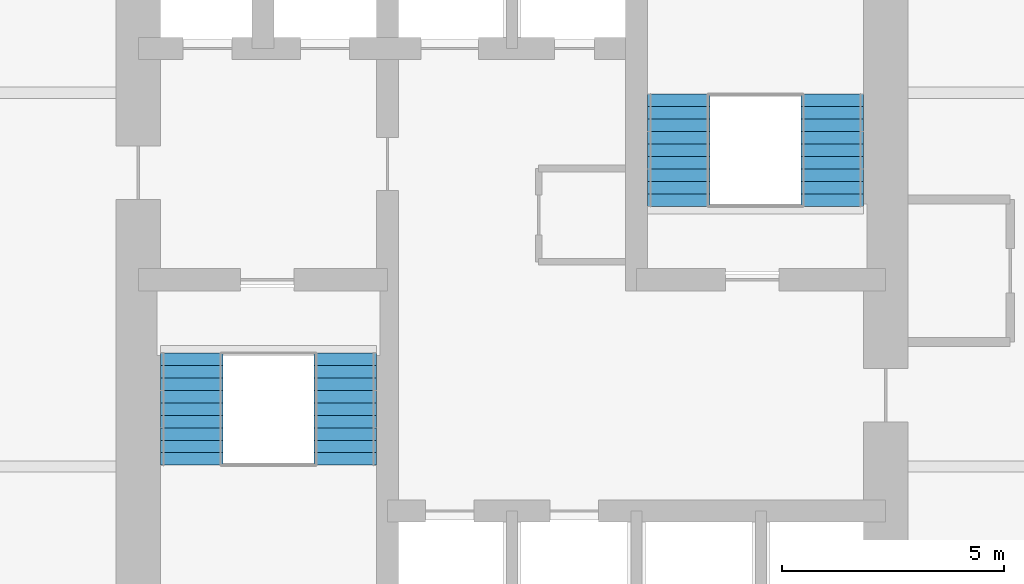
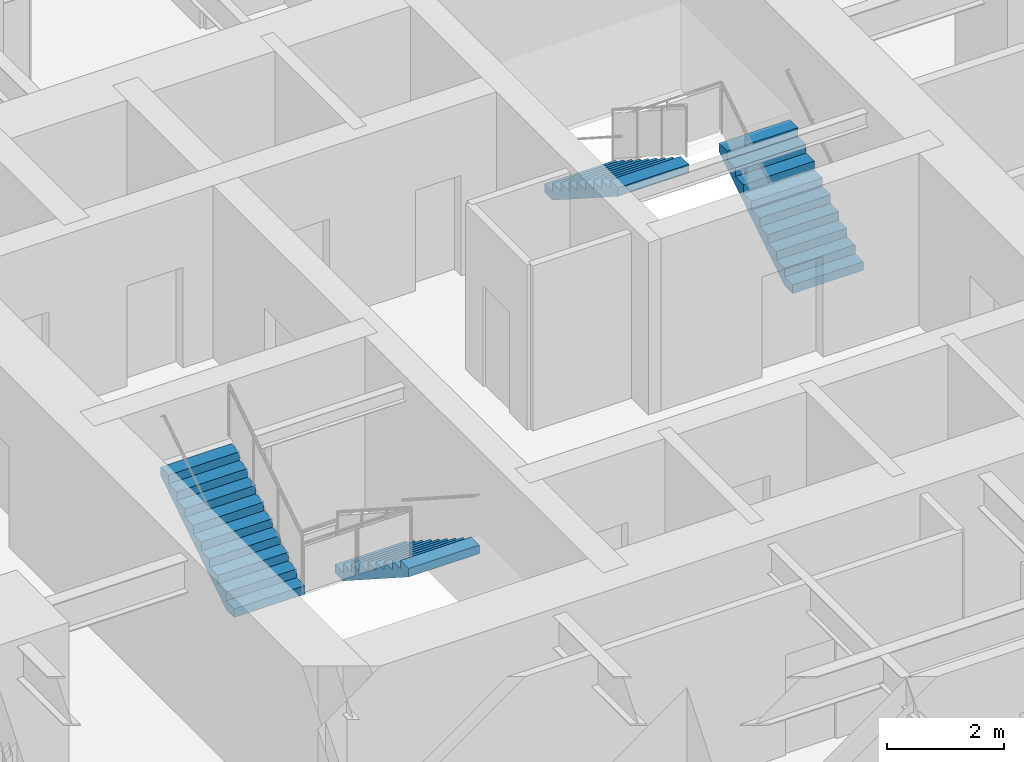
# One storey, part 15 of 17: 4 stair flights, 2 elements without a shape of their own.
"""IFC4 building model written with IfcOpenShell, lengths in metres."""

from ifc_helpers import new_model, si_unit, direction, frame, origin, place, context, subcontext, project, spatial, polyline, outline, extrude, material, type_object, element, aggregate, save


model = new_model("IFC4")

# Units and contexts
model_context = context("Model", 3, precision=1e-05, world=origin(), true_north=direction((0.0, 1.0)))
body_context = subcontext(model_context, "Body", "Model", "MODEL_VIEW")
ifc_project = project(units=[si_unit("LENGTHUNIT", "METRE"), si_unit("AREAUNIT", "SQUARE_METRE"), si_unit("VOLUMEUNIT", "CUBIC_METRE"), si_unit("PLANEANGLEUNIT", "RADIAN"), si_unit("MASSUNIT", "GRAM", prefix="KILO")], contexts=[model_context])

# Site, building, storey
site_placement = place(None, origin())
site = spatial("IfcSite", under=ifc_project, at=site_placement, CompositionType="ELEMENT")
building_placement = place(site_placement, origin())
building = spatial("IfcBuilding", under=site, at=building_placement, Name="Torre Alcanfor", CompositionType="ELEMENT")
storey_placement = place(building_placement, frame((0.0, 0.0, 34.5)))
storey = spatial("IfcBuildingStorey", under=building, at=storey_placement, Name="L07", CompositionType="ELEMENT", Elevation=34.5)

# Stair, stair flights
ifc_material_1 = material(Name="Concrete f'c 35 MPa", Category="concrete")
stair_type_1 = type_object("IfcStairType", Name="Exit stair S1 1400 wide", PredefinedType="HALF_TURN_STAIR", material=ifc_material_1)
stair_1_placement = place(storey_placement, origin())
stair_1 = element("IfcStair", 1, at=stair_1_placement, inside=storey, type_object=stair_type_1, Name="Stair S1 L07 to L08", PredefinedType="HALF_TURN_STAIR")
ifc_material_2 = material(Name="Concrete f'c 35 MPa", Category="concrete")
stair_flight_type = type_object("IfcStairFlightType", Name="Stair flight 1400", PredefinedType="STRAIGHT", material=ifc_material_2)
stair_flight_1_placement = place(storey_placement, frame((25.64990234375, 27.75, 0.0), z_axis=(0.0, 0.0, 1.0), x_axis=(0.0, -1.0, 0.0)))
stair_flight_1 = element("IfcStairFlight", 2, at=stair_flight_1_placement, type_object=stair_flight_type, Name="S1 flight 1", NumberOfRisers=10, NumberOfTreads=9, PredefinedType="STRAIGHT", RiserHeight=0.18, TreadLength=0.28, context=body_context, shape_type="SweptSolid", body=[
    extrude(outline(polyline([(0.0, 0.0), (0.0, 0.179931640625), (0.280029296875, 0.179931640625), (0.280029296875, 0.360107421875), (0.56005859375, 0.360107421875), (0.56005859375, 0.5400390625), (0.840087890625, 0.5400390625), (0.840087890625, 0.719970703125), (1.1201171875, 0.719970703125), (1.1201171875, 0.89990234375), (1.39990234375, 0.89990234375), (1.39990234375, 1.080078125), (1.679931640625, 1.080078125), (1.679931640625, 1.260009765625), (1.9599609375, 1.260009765625), (1.9599609375, 1.43994140625), (2.239990234375, 1.43994140625), (2.239990234375, 1.6201171875), (2.52001953125, 1.6201171875), (2.52001953125, 1.800048828125), (2.52001953125, 1.44189453125), (0.277099609375, 0.0), (0.0, 0.0)])), frame((0.0, 0.699951171875, 0.0), z_axis=(0.0, -1.0, 0.0), x_axis=(1.0, 0.0, 0.0)), (0.0, 0.0, 1.0), 1.39990234375),
])
stair_flight_2_placement = place(storey_placement, frame((22.199951171875, 25.22998046875, 1.800048828125), z_axis=(0.0, 0.0, 1.0), x_axis=(0.0, 1.0, 0.0)))
stair_flight_2 = element("IfcStairFlight", 3, at=stair_flight_2_placement, type_object=stair_flight_type, Name="S1 flight 2", NumberOfRisers=10, NumberOfTreads=9, PredefinedType="STRAIGHT", RiserHeight=0.18, TreadLength=0.28, context=body_context, shape_type="SweptSolid", body=[
    extrude(outline(polyline([(0.0, 0.0), (0.0, 0.179931640625), (0.280029296875, 0.179931640625), (0.280029296875, 0.360107421875), (0.56005859375, 0.360107421875), (0.56005859375, 0.5400390625), (0.840087890625, 0.5400390625), (0.840087890625, 0.719970703125), (1.1201171875, 0.719970703125), (1.1201171875, 0.89990234375), (1.39990234375, 0.89990234375), (1.39990234375, 1.080078125), (1.679931640625, 1.080078125), (1.679931640625, 1.260009765625), (1.9599609375, 1.260009765625), (1.9599609375, 1.43994140625), (2.239990234375, 1.43994140625), (2.239990234375, 1.6201171875), (2.52001953125, 1.6201171875), (2.52001953125, 1.800048828125), (2.52001953125, 1.44189453125), (0.277099609375, 0.0), (0.0, 0.0)])), frame((0.0, 0.699951171875, 0.0), z_axis=(0.0, -1.0, 0.0), x_axis=(1.0, 0.0, 0.0)), (0.0, 0.0, 1.0), 1.39990234375),
])
aggregate(stair_1, [stair_flight_1, stair_flight_2])

ifc_material_3 = material(Name="Concrete f'c 35 MPa", Category="concrete")
stair_type_2 = type_object("IfcStairType", Name="Exit stair S2 1400 wide", PredefinedType="HALF_TURN_STAIR", material=ifc_material_3)
stair_2_placement = place(storey_placement, origin())
stair_2 = element("IfcStair", 4, at=stair_2_placement, inside=storey, type_object=stair_type_2, Name="Stair S2 L07 to L08", PredefinedType="HALF_TURN_STAIR")
stair_flight_3_placement = place(storey_placement, frame((36.60009765625, 31.050048828125, 0.0), z_axis=(0.0, 0.0, 1.0), x_axis=(0.0, 1.0, 0.0)))
stair_flight_3 = element("IfcStairFlight", 5, at=stair_flight_3_placement, type_object=stair_flight_type, Name="S2 flight 1", NumberOfRisers=10, NumberOfTreads=9, PredefinedType="STRAIGHT", RiserHeight=0.18, TreadLength=0.28, context=body_context, shape_type="SweptSolid", body=[
    extrude(outline(polyline([(0.0, 0.0), (0.0, 0.179931640625), (0.280029296875, 0.179931640625), (0.280029296875, 0.360107421875), (0.56005859375, 0.360107421875), (0.56005859375, 0.5400390625), (0.840087890625, 0.5400390625), (0.840087890625, 0.719970703125), (1.1201171875, 0.719970703125), (1.1201171875, 0.89990234375), (1.39990234375, 0.89990234375), (1.39990234375, 1.080078125), (1.679931640625, 1.080078125), (1.679931640625, 1.260009765625), (1.9599609375, 1.260009765625), (1.9599609375, 1.43994140625), (2.239990234375, 1.43994140625), (2.239990234375, 1.6201171875), (2.52001953125, 1.6201171875), (2.52001953125, 1.800048828125), (2.52001953125, 1.44189453125), (0.277099609375, 0.0), (0.0, 0.0)])), frame((0.0, 0.699951171875, 0.0), z_axis=(0.0, -1.0, 0.0), x_axis=(1.0, 0.0, 0.0)), (0.0, 0.0, 1.0), 1.39990234375),
])
stair_flight_4_placement = place(storey_placement, frame((33.14990234375, 33.570068359375, 1.800048828125), z_axis=(0.0, 0.0, 1.0), x_axis=(0.0, -1.0, 0.0)))
stair_flight_4 = element("IfcStairFlight", 6, at=stair_flight_4_placement, type_object=stair_flight_type, Name="S2 flight 2", NumberOfRisers=10, NumberOfTreads=9, PredefinedType="STRAIGHT", RiserHeight=0.18, TreadLength=0.28, context=body_context, shape_type="SweptSolid", body=[
    extrude(outline(polyline([(0.0, 0.0), (0.0, 0.179931640625), (0.280029296875, 0.179931640625), (0.280029296875, 0.360107421875), (0.56005859375, 0.360107421875), (0.56005859375, 0.5400390625), (0.840087890625, 0.5400390625), (0.840087890625, 0.719970703125), (1.1201171875, 0.719970703125), (1.1201171875, 0.89990234375), (1.39990234375, 0.89990234375), (1.39990234375, 1.080078125), (1.679931640625, 1.080078125), (1.679931640625, 1.260009765625), (1.9599609375, 1.260009765625), (1.9599609375, 1.43994140625), (2.239990234375, 1.43994140625), (2.239990234375, 1.6201171875), (2.52001953125, 1.6201171875), (2.52001953125, 1.800048828125), (2.52001953125, 1.44189453125), (0.277099609375, 0.0), (0.0, 0.0)])), frame((0.0, 0.699951171875, 0.0), z_axis=(0.0, -1.0, 0.0), x_axis=(1.0, 0.0, 0.0)), (0.0, 0.0, 1.0), 1.39990234375),
])
aggregate(stair_2, [stair_flight_3, stair_flight_4])

save(model, "model.ifc")
